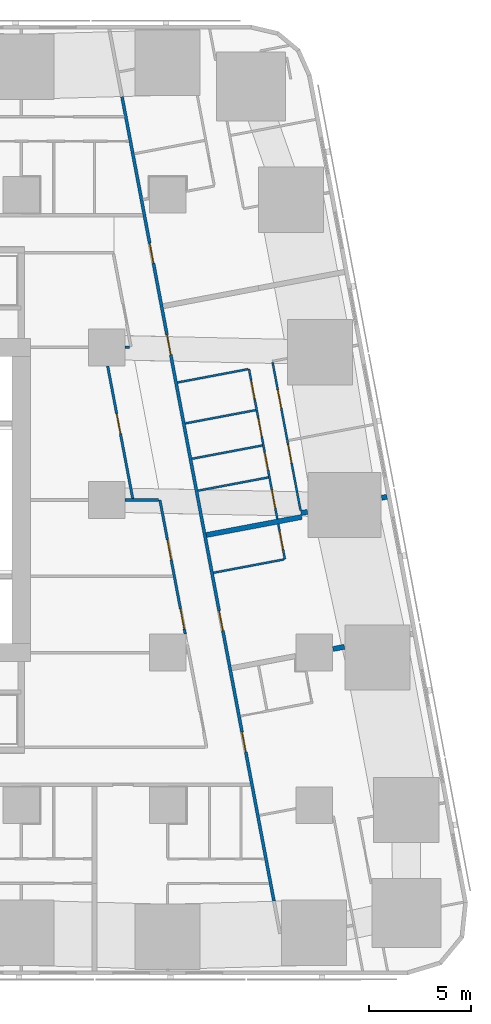
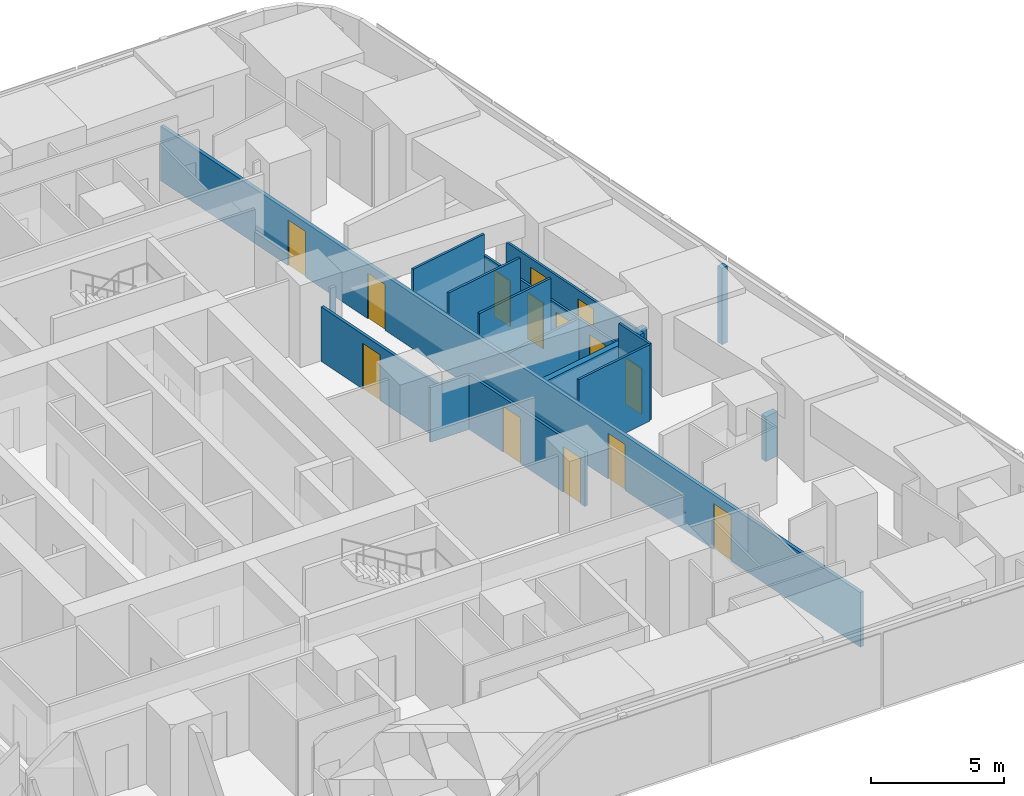
# One storey, part 9 of 17: 17 walls, 14 doors, 14 openings.
"""IFC4 building model written with IfcOpenShell, lengths in metres."""

from ifc_helpers import new_model, si_unit, direction, frame, frame_2d, origin, place, context, subcontext, project, spatial, rectangle, extrude, material, layer, layer_set, type_object, element, fill, save


model = new_model("IFC4")

# Units and contexts
model_context = context("Model", 3, precision=1e-05, world=origin(), true_north=direction((0.0, 1.0)))
body_context = subcontext(model_context, "Body", "Model", "MODEL_VIEW")
ifc_project = project(units=[si_unit("LENGTHUNIT", "METRE"), si_unit("AREAUNIT", "SQUARE_METRE"), si_unit("VOLUMEUNIT", "CUBIC_METRE"), si_unit("PLANEANGLEUNIT", "RADIAN"), si_unit("MASSUNIT", "GRAM", prefix="KILO")], contexts=[model_context])

# Site, building, storey
site_placement = place(None, origin())
site = spatial("IfcSite", under=ifc_project, at=site_placement, CompositionType="ELEMENT")
building_placement = place(site_placement, origin())
building = spatial("IfcBuilding", under=site, at=building_placement, Name="Sheger Commons Tower", CompositionType="ELEMENT")
storey_placement = place(building_placement, frame((0.0, 0.0, 27.5)))
storey = spatial("IfcBuildingStorey", under=building, at=storey_placement, Name="L06", CompositionType="ELEMENT", Elevation=27.5)

# Wall, openings, doors
ifc_material_1 = material(Name="Hollow concrete block masonry, skimmed both sides", Category="masonry")
ifc_layer_1 = layer(ifc_material_1, 0.14990234375)
ifc_layer_set_1 = layer_set([ifc_layer_1], Name="CORRIDOR WALL 150")
wall_type_1 = type_object("IfcWallType", Name="CORRIDOR WALL 150", PredefinedType="SOLIDWALL", material=ifc_layer_set_1)
wall_1_placement = place(storey_placement, frame((33.7548828125, 42.324951171875, 0.0), z_axis=(0.0, 0.0, 1.0), x_axis=(0.185611461091, -0.982623216453, 0.0)))
wall_1 = element("IfcWall", 1, at=wall_1_placement, inside=storey, type_object=wall_type_1, Name="Corridor wall L06", PredefinedType="SOLIDWALL", context=body_context, shape_type="SweptSolid", body=[
    extrude(rectangle(XDim=40.2412109375, YDim=0.14990234375, at=frame_2d((20.12060546875, 0.0))), origin(), (0.0, 0.0, 1.0), 2.5),
])
opening_1_placement = place(wall_1_placement, frame((7.324951171875, 0.0, 0.0)))
opening_1 = element("IfcOpeningElement", 2, at=opening_1_placement, cuts=wall_1, Name="Opening D1", PredefinedType="OPENING", context=body_context, shape_type="SweptSolid", body=[
    extrude(rectangle(XDim=1.0, YDim=2.10009765625, at=frame_2d((0.5, 1.050048828125))), frame((0.0, 0.0849609375, 0.0), z_axis=(0.0, -1.0, 0.0), x_axis=(1.0, 0.0, 0.0)), (0.0, 0.0, 1.0), 0.169921875),
])
opening_2_placement = place(wall_1_placement, frame((11.902099609375, 0.0, 0.0)))
opening_2 = element("IfcOpeningElement", 3, at=opening_2_placement, cuts=wall_1, Name="Opening D1", PredefinedType="OPENING", context=body_context, shape_type="SweptSolid", body=[
    extrude(rectangle(XDim=1.0, YDim=2.10009765625, at=frame_2d((0.5, 1.050048828125))), frame((0.0, 0.0849609375, 0.0), z_axis=(0.0, -1.0, 0.0), x_axis=(1.0, 0.0, 0.0)), (0.0, 0.0, 1.0), 0.169921875),
])
opening_3_placement = place(wall_1_placement, frame((25.718017578125, 0.0, 0.0)))
opening_3 = element("IfcOpeningElement", 4, at=opening_3_placement, cuts=wall_1, Name="Opening D1", PredefinedType="OPENING", context=body_context, shape_type="SweptSolid", body=[
    extrude(rectangle(XDim=1.0, YDim=2.10009765625, at=frame_2d((0.5, 1.050048828125))), frame((0.0, 0.0849609375, 0.0), z_axis=(0.0, -1.0, 0.0), x_axis=(1.0, 0.0, 0.0)), (0.0, 0.0, 1.0), 0.169921875),
])
opening_4_placement = place(wall_1_placement, frame((31.7880859375, 0.0, 0.0)))
opening_4 = element("IfcOpeningElement", 5, at=opening_4_placement, cuts=wall_1, Name="Opening D1", PredefinedType="OPENING", context=body_context, shape_type="SweptSolid", body=[
    extrude(rectangle(XDim=1.0, YDim=2.10009765625, at=frame_2d((0.5, 1.050048828125))), frame((0.0, 0.0849609375, 0.0), z_axis=(0.0, -1.0, 0.0), x_axis=(1.0, 0.0, 0.0)), (0.0, 0.0, 1.0), 0.169921875),
])
ifc_material_2 = material(Name="Steel door set, fire rated", Category="steel")
door_type_1 = type_object("IfcDoorType", Name="FLAT ENTRANCE DOOR 1000x2100", OperationType="NOTDEFINED", PredefinedType="DOOR", material=ifc_material_2)
door_1_placement = place(opening_1_placement, origin())
door_1 = element("IfcDoor", 6, at=door_1_placement, inside=storey, type_object=door_type_1, Name="Flat entrance door", OperationType="SINGLE_SWING_RIGHT", OverallHeight=2.10009765625, OverallWidth=1.0, PredefinedType="DOOR", context=body_context, shape_type="SweptSolid", body=[
    extrude(rectangle(XDim=1.0, YDim=2.10009765625, at=frame_2d((0.5, 1.050048828125))), frame((0.0, 0.02490234375, 0.0), z_axis=(0.0, -1.0, 0.0), x_axis=(1.0, 0.0, 0.0)), (0.0, 0.0, 1.0), 0.050048828125),
])
fill(opening_1, door_1)
door_2_placement = place(opening_2_placement, origin())
door_2 = element("IfcDoor", 7, at=door_2_placement, inside=storey, type_object=door_type_1, Name="Flat entrance door", OperationType="SINGLE_SWING_RIGHT", OverallHeight=2.10009765625, OverallWidth=1.0, PredefinedType="DOOR", context=body_context, shape_type="SweptSolid", body=[
    extrude(rectangle(XDim=1.0, YDim=2.10009765625, at=frame_2d((0.5, 1.050048828125))), frame((0.0, 0.02490234375, 0.0), z_axis=(0.0, -1.0, 0.0), x_axis=(1.0, 0.0, 0.0)), (0.0, 0.0, 1.0), 0.050048828125),
])
fill(opening_2, door_2)
door_3_placement = place(opening_3_placement, origin())
door_3 = element("IfcDoor", 8, at=door_3_placement, inside=storey, type_object=door_type_1, Name="Flat entrance door", OperationType="SINGLE_SWING_RIGHT", OverallHeight=2.10009765625, OverallWidth=1.0, PredefinedType="DOOR", context=body_context, shape_type="SweptSolid", body=[
    extrude(rectangle(XDim=1.0, YDim=2.10009765625, at=frame_2d((0.5, 1.050048828125))), frame((0.0, 0.02490234375, 0.0), z_axis=(0.0, -1.0, 0.0), x_axis=(1.0, 0.0, 0.0)), (0.0, 0.0, 1.0), 0.050048828125),
])
fill(opening_3, door_3)
door_4_placement = place(opening_4_placement, origin())
door_4 = element("IfcDoor", 9, at=door_4_placement, inside=storey, type_object=door_type_1, Name="Flat entrance door", OperationType="SINGLE_SWING_RIGHT", OverallHeight=2.10009765625, OverallWidth=1.0, PredefinedType="DOOR", context=body_context, shape_type="SweptSolid", body=[
    extrude(rectangle(XDim=1.0, YDim=2.10009765625, at=frame_2d((0.5, 1.050048828125))), frame((0.0, 0.02490234375, 0.0), z_axis=(0.0, -1.0, 0.0), x_axis=(1.0, 0.0, 0.0)), (0.0, 0.0, 1.0), 0.050048828125),
])
fill(opening_4, door_4)

# Walls
ifc_material_3 = material(Name="Dense concrete block masonry, plastered both sides (separating wall between flats)", Category="masonry")
ifc_layer_2 = layer(ifc_material_3, 0.25)
ifc_layer_set_2 = layer_set([ifc_layer_2], Name="DEMISING WALL 250")
wall_type_2 = type_object("IfcWallType", Name="DEMISING WALL 250", PredefinedType="SOLIDWALL", material=ifc_layer_set_2)
wall_2_placement = place(storey_placement, frame((46.781982421875, 22.656982421875, 0.0), z_axis=(0.0, 0.0, 1.0), x_axis=(-0.982104607121, -0.188336243648, 0.0)))
element("IfcWall", 10, at=wall_2_placement, inside=storey, type_object=wall_type_2, Name="Demising wall L06", PredefinedType="SOLIDWALL", context=body_context, shape_type="SweptSolid", body=[
    extrude(rectangle(XDim=0.265625, YDim=0.25, at=frame_2d((0.1328125, 0.0))), origin(), (0.0, 0.0, 1.0), 3.5),
])
wall_3_placement = place(storey_placement, frame((42.873046875, 21.91796875, 0.0), z_axis=(0.0, 0.0, 1.0), x_axis=(-0.982431406936, -0.186624035603, 0.0)))
element("IfcWall", 11, at=wall_3_placement, inside=storey, type_object=wall_type_2, Name="Demising wall L06", PredefinedType="SOLIDWALL", context=body_context, shape_type="SweptSolid", body=[
    extrude(rectangle(XDim=0.32177734375, YDim=0.25, at=frame_2d((0.160888671875, 0.0))), origin(), (0.0, 0.0, 1.0), 2.5),
])
wall_4_placement = place(storey_placement, frame((42.593017578125, 21.6650390625, 0.0), z_axis=(0.0, 0.0, 1.0), x_axis=(-0.982635807605, -0.185544791394, 0.0)))
element("IfcWall", 12, at=wall_4_placement, inside=storey, type_object=wall_type_2, Name="Demising wall L06", PredefinedType="SOLIDWALL", context=body_context, shape_type="SweptSolid", body=[
    extrude(rectangle(XDim=4.775146484375, YDim=0.25, at=frame_2d((2.3876953125, 0.0))), origin(), (0.0, 0.0, 1.0), 2.5),
])
wall_5_placement = place(storey_placement, frame((44.68994140625, 15.281005859375, 0.0), z_axis=(0.0, 0.0, 1.0), x_axis=(-0.982612073204, -0.185670443513, 0.0)))
element("IfcWall", 13, at=wall_5_placement, inside=storey, type_object=wall_type_2, Name="Demising wall L06", PredefinedType="SOLIDWALL", context=body_context, shape_type="SweptSolid", body=[
    extrude(rectangle(XDim=0.575927734375, YDim=0.25, at=frame_2d((0.2880859375, 0.0))), origin(), (0.0, 0.0, 1.0), 2.050048828125),
])

# Wall, openings, doors
ifc_material_4 = material(Name="Gypsum board on steel studs", Category="steel")
ifc_layer_3 = layer(ifc_material_4, 0.10009765625)
ifc_layer_set_3 = layer_set([ifc_layer_3], Name="PARTITION 100")
wall_type_3 = type_object("IfcWallType", Name="PARTITION 100", PredefinedType="PARTITIONING", material=ifc_layer_set_3)
wall_6_placement = place(storey_placement, frame((41.156982421875, 29.27294921875, 0.0), z_axis=(0.0, 0.0, 1.0), x_axis=(0.18542464283, -0.982658486877, 0.0)))
wall_6 = element("IfcWall", 14, at=wall_6_placement, inside=storey, type_object=wall_type_3, Name="Partition L06", PredefinedType="PARTITIONING", context=body_context, shape_type="SweptSolid", body=[
    extrude(rectangle(XDim=7.420654296875, YDim=0.10009765625, at=frame_2d((3.71044921875, 0.0))), origin(), (0.0, 0.0, 1.0), 2.5),
])
opening_5_placement = place(wall_6_placement, frame((1.39990234375, 0.0, 0.0)))
opening_5 = element("IfcOpeningElement", 15, at=opening_5_placement, cuts=wall_6, Name="Opening D2", PredefinedType="OPENING", context=body_context, shape_type="SweptSolid", body=[
    extrude(rectangle(XDim=0.89990234375, YDim=2.10009765625, at=frame_2d((0.449951171875, 1.050048828125))), frame((0.0, 0.06005859375, 0.0), z_axis=(0.0, -1.0, 0.0), x_axis=(1.0, 0.0, 0.0)), (0.0, 0.0, 1.0), 0.1201171875),
])
opening_6_placement = place(wall_6_placement, frame((4.1259765625, 0.0, 0.0)))
opening_6 = element("IfcOpeningElement", 16, at=opening_6_placement, cuts=wall_6, Name="Opening D2", PredefinedType="OPENING", context=body_context, shape_type="SweptSolid", body=[
    extrude(rectangle(XDim=0.89990234375, YDim=2.10009765625, at=frame_2d((0.449951171875, 1.050048828125))), frame((0.0, 0.06005859375, 0.0), z_axis=(0.0, -1.0, 0.0), x_axis=(1.0, 0.0, 0.0)), (0.0, 0.0, 1.0), 0.1201171875),
])
ifc_material_5 = material(Name="Timber door set", Category="wood")
door_type_2 = type_object("IfcDoorType", Name="INTERNAL DOOR 900x2100", OperationType="NOTDEFINED", PredefinedType="DOOR", material=ifc_material_5)
door_5_placement = place(opening_5_placement, origin())
door_5 = element("IfcDoor", 17, at=door_5_placement, inside=storey, type_object=door_type_2, Name="Main bedroom door", OperationType="SINGLE_SWING_LEFT", OverallHeight=2.10009765625, OverallWidth=0.89990234375, PredefinedType="DOOR", context=body_context, shape_type="SweptSolid", body=[
    extrude(rectangle(XDim=0.89990234375, YDim=2.10009765625, at=frame_2d((0.449951171875, 1.050048828125))), frame((0.0, 0.02490234375, 0.0), z_axis=(0.0, -1.0, 0.0), x_axis=(1.0, 0.0, 0.0)), (0.0, 0.0, 1.0), 0.050048828125),
])
fill(opening_5, door_5)
door_6_placement = place(opening_6_placement, origin())
door_6 = element("IfcDoor", 18, at=door_6_placement, inside=storey, type_object=door_type_2, Name="Bedroom 2 door", OperationType="SINGLE_SWING_LEFT", OverallHeight=2.10009765625, OverallWidth=0.89990234375, PredefinedType="DOOR", context=body_context, shape_type="SweptSolid", body=[
    extrude(rectangle(XDim=0.89990234375, YDim=2.10009765625, at=frame_2d((0.449951171875, 1.050048828125))), frame((0.0, 0.02490234375, 0.0), z_axis=(0.0, -1.0, 0.0), x_axis=(1.0, 0.0, 0.0)), (0.0, 0.0, 1.0), 0.050048828125),
])
fill(opening_6, door_6)

wall_7_placement = place(storey_placement, frame((39.9970703125, 28.94189453125, 0.0), z_axis=(0.0, 0.0, 1.0), x_axis=(0.185686318797, -0.982609073341, 0.0)))
wall_7 = element("IfcWall", 19, at=wall_7_placement, inside=storey, type_object=wall_type_3, Name="Partition L06", PredefinedType="PARTITIONING", context=body_context, shape_type="SweptSolid", body=[
    extrude(rectangle(XDim=7.507568359375, YDim=0.10009765625, at=frame_2d((3.75390625, 0.0))), origin(), (0.0, 0.0, 1.0), 2.5),
])
opening_7_placement = place(wall_7_placement, frame((0.575927734375, 0.0, 0.0)))
opening_7 = element("IfcOpeningElement", 20, at=opening_7_placement, cuts=wall_7, Name="Opening D2", PredefinedType="OPENING", context=body_context, shape_type="SweptSolid", body=[
    extrude(rectangle(XDim=0.89990234375, YDim=2.10009765625, at=frame_2d((0.449951171875, 1.050048828125))), frame((0.0, 0.06005859375, 0.0), z_axis=(0.0, -1.0, 0.0), x_axis=(1.0, 0.0, 0.0)), (0.0, 0.0, 1.0), 0.1201171875),
])
opening_8_placement = place(wall_7_placement, frame((4.166015625, 0.0, 0.0)))
opening_8 = element("IfcOpeningElement", 21, at=opening_8_placement, cuts=wall_7, Name="Opening D2", PredefinedType="OPENING", context=body_context, shape_type="SweptSolid", body=[
    extrude(rectangle(XDim=0.89990234375, YDim=2.10009765625, at=frame_2d((0.449951171875, 1.050048828125))), frame((0.0, 0.06005859375, 0.0), z_axis=(0.0, -1.0, 0.0), x_axis=(1.0, 0.0, 0.0)), (0.0, 0.0, 1.0), 0.1201171875),
])
opening_9_placement = place(wall_7_placement, frame((2.48291015625, 0.0, 0.0)))
opening_9 = element("IfcOpeningElement", 22, at=opening_9_placement, cuts=wall_7, Name="Opening D2", PredefinedType="OPENING", context=body_context, shape_type="SweptSolid", body=[
    extrude(rectangle(XDim=0.89990234375, YDim=2.10009765625, at=frame_2d((0.449951171875, 1.050048828125))), frame((0.0, 0.06005859375, 0.0), z_axis=(0.0, -1.0, 0.0), x_axis=(1.0, 0.0, 0.0)), (0.0, 0.0, 1.0), 0.1201171875),
])
opening_10_placement = place(wall_7_placement, frame((6.073974609375, 0.0, 0.0)))
opening_10 = element("IfcOpeningElement", 23, at=opening_10_placement, cuts=wall_7, Name="Opening D2", PredefinedType="OPENING", context=body_context, shape_type="SweptSolid", body=[
    extrude(rectangle(XDim=0.89990234375, YDim=2.10009765625, at=frame_2d((0.449951171875, 1.050048828125))), frame((0.0, 0.06005859375, 0.0), z_axis=(0.0, -1.0, 0.0), x_axis=(1.0, 0.0, 0.0)), (0.0, 0.0, 1.0), 0.1201171875),
])
door_7_placement = place(opening_7_placement, origin())
door_7 = element("IfcDoor", 24, at=door_7_placement, inside=storey, type_object=door_type_2, Name="Bathroom door", OperationType="SINGLE_SWING_RIGHT", OverallHeight=2.10009765625, OverallWidth=0.89990234375, PredefinedType="DOOR", context=body_context, shape_type="SweptSolid", body=[
    extrude(rectangle(XDim=0.89990234375, YDim=2.10009765625, at=frame_2d((0.449951171875, 1.050048828125))), frame((0.0, 0.02490234375, 0.0), z_axis=(0.0, -1.0, 0.0), x_axis=(1.0, 0.0, 0.0)), (0.0, 0.0, 1.0), 0.050048828125),
])
fill(opening_7, door_7)
door_8_placement = place(opening_8_placement, origin())
door_8 = element("IfcDoor", 25, at=door_8_placement, inside=storey, type_object=door_type_2, Name="Shower room door", OperationType="SINGLE_SWING_RIGHT", OverallHeight=2.10009765625, OverallWidth=0.89990234375, PredefinedType="DOOR", context=body_context, shape_type="SweptSolid", body=[
    extrude(rectangle(XDim=0.89990234375, YDim=2.10009765625, at=frame_2d((0.449951171875, 1.050048828125))), frame((0.0, 0.02490234375, 0.0), z_axis=(0.0, -1.0, 0.0), x_axis=(1.0, 0.0, 0.0)), (0.0, 0.0, 1.0), 0.050048828125),
])
fill(opening_8, door_8)
door_9_placement = place(opening_9_placement, origin())
door_9 = element("IfcDoor", 26, at=door_9_placement, inside=storey, type_object=door_type_2, Name="Store door", OperationType="SINGLE_SWING_RIGHT", OverallHeight=2.10009765625, OverallWidth=0.89990234375, PredefinedType="DOOR", context=body_context, shape_type="SweptSolid", body=[
    extrude(rectangle(XDim=0.89990234375, YDim=2.10009765625, at=frame_2d((0.449951171875, 1.050048828125))), frame((0.0, 0.02490234375, 0.0), z_axis=(0.0, -1.0, 0.0), x_axis=(1.0, 0.0, 0.0)), (0.0, 0.0, 1.0), 0.050048828125),
])
fill(opening_9, door_9)
door_10_placement = place(opening_10_placement, origin())
door_10 = element("IfcDoor", 27, at=door_10_placement, inside=storey, type_object=door_type_2, Name="Store door", OperationType="SINGLE_SWING_LEFT", OverallHeight=2.10009765625, OverallWidth=0.89990234375, PredefinedType="DOOR", context=body_context, shape_type="SweptSolid", body=[
    extrude(rectangle(XDim=0.89990234375, YDim=2.10009765625, at=frame_2d((0.449951171875, 1.050048828125))), frame((0.0, 0.02490234375, 0.0), z_axis=(0.0, -1.0, 0.0), x_axis=(1.0, 0.0, 0.0)), (0.0, 0.0, 1.0), 0.050048828125),
])
fill(opening_10, door_10)

# Walls
for number, where, z_axis, x_axis, name in (
    (28, (39.947998046875, 28.93310546875, 0.0), (0.0, 0.0, 1.0), (-0.982576058723, -0.185860939478, 0.0), "Partition L06"),
    (29, (40.656005859375, 25.18310546875, 0.0), (0.0, 0.0, 1.0), (-0.982576058723, -0.185860939478, 0.0), "Partition L06"),
):
    element("IfcWall", number, at=place(storey_placement, frame(where, z_axis=z_axis, x_axis=x_axis)), inside=storey, type_object=wall_type_3, Name=name, PredefinedType="PARTITIONING", context=body_context, shape_type="SweptSolid", body=[
        extrude(rectangle(XDim=3.5244140625, YDim=0.10009765625, at=frame_2d((1.76220703125, 0.0))), origin(), (0.0, 0.0, 1.0), 3.5),
    ])
wall_8_placement = place(storey_placement, frame((40.3291015625, 26.91796875, 0.0), z_axis=(0.0, 0.0, 1.0), x_axis=(-0.982638553676, -0.185530247748, 0.0)))
element("IfcWall", 30, at=wall_8_placement, inside=storey, type_object=wall_type_3, Name="Partition L06", PredefinedType="PARTITIONING", context=body_context, shape_type="SweptSolid", body=[
    extrude(rectangle(XDim=3.525390625, YDim=0.10009765625, at=frame_2d((1.7626953125, 0.0))), origin(), (0.0, 0.0, 1.0), 3.5),
])
wall_9_placement = place(storey_placement, frame((40.9541015625, 23.610107421875, 0.0), z_axis=(0.0, 0.0, 1.0), x_axis=(-0.982638553676, -0.185530247748, 0.0)))
element("IfcWall", 31, at=wall_9_placement, inside=storey, type_object=wall_type_3, Name="Partition L06", PredefinedType="PARTITIONING", context=body_context, shape_type="SweptSolid", body=[
    extrude(rectangle(XDim=3.525390625, YDim=0.10009765625, at=frame_2d((1.7626953125, 0.0))), origin(), (0.0, 0.0, 1.0), 2.5),
])

# Wall, opening, door
wall_10_placement = place(storey_placement, frame((41.43701171875, 21.319091796875, 0.0), z_axis=(0.0, 0.0, 1.0), x_axis=(0.185783379659, -0.98259072652, 0.0)))
wall_10 = element("IfcWall", 32, at=wall_10_placement, inside=storey, type_object=wall_type_3, Name="Partition L06", PredefinedType="PARTITIONING", context=body_context, shape_type="SweptSolid", body=[
    extrude(rectangle(XDim=1.764892578125, YDim=0.10009765625, at=frame_2d((0.88232421875, 0.0))), origin(), (0.0, 0.0, 1.0), 3.5),
])
opening_11_placement = place(wall_10_placement, frame((0.3740234375, 0.0, 0.0)))
opening_11 = element("IfcOpeningElement", 33, at=opening_11_placement, cuts=wall_10, Name="Opening D2", PredefinedType="OPENING", context=body_context, shape_type="SweptSolid", body=[
    extrude(rectangle(XDim=0.89990234375, YDim=2.10009765625, at=frame_2d((0.449951171875, 1.050048828125))), frame((0.0, 0.06005859375, 0.0), z_axis=(0.0, -1.0, 0.0), x_axis=(1.0, 0.0, 0.0)), (0.0, 0.0, 1.0), 0.1201171875),
])
door_11_placement = place(opening_11_placement, origin())
door_11 = element("IfcDoor", 34, at=door_11_placement, inside=storey, type_object=door_type_2, Name="Shower room door", OperationType="SINGLE_SWING_RIGHT", OverallHeight=2.10009765625, OverallWidth=0.89990234375, PredefinedType="DOOR", context=body_context, shape_type="SweptSolid", body=[
    extrude(rectangle(XDim=0.89990234375, YDim=2.10009765625, at=frame_2d((0.449951171875, 1.050048828125))), frame((0.0, 0.02490234375, 0.0), z_axis=(0.0, -1.0, 0.0), x_axis=(1.0, 0.0, 0.0)), (0.0, 0.0, 1.0), 0.050048828125),
])
fill(opening_11, door_11)

# Wall
wall_11_placement = place(storey_placement, frame((41.716064453125, 19.575927734375, 0.0), z_axis=(0.0, 0.0, 1.0), x_axis=(-0.982588017646, -0.185797706064, 0.0)))
element("IfcWall", 35, at=wall_11_placement, inside=storey, type_object=wall_type_3, Name="Partition L06", PredefinedType="PARTITIONING", context=body_context, shape_type="SweptSolid", body=[
    extrude(rectangle(XDim=3.525390625, YDim=0.10009765625, at=frame_2d((1.7626953125, 0.0))), origin(), (0.0, 0.0, 1.0), 3.5),
])

# Wall, openings, doors
ifc_material_6 = material(Name="Gypsum board on steel studs, two layers each side, fire rated", Category="steel")
ifc_layer_4 = layer(ifc_material_6, 0.125)
ifc_layer_set_4 = layer_set([ifc_layer_4], Name="SERVICE WALL 125")
wall_type_4 = type_object("IfcWallType", Name="SERVICE WALL 125", PredefinedType="PARTITIONING", material=ifc_layer_set_4)
wall_12_placement = place(storey_placement, frame((36.861083984375, 15.9130859375, 0.0), z_axis=(0.0, 0.0, 1.0), x_axis=(-0.185598960122, 0.982625577726, 0.0)))
wall_12 = element("IfcWall", 36, at=wall_12_placement, inside=storey, type_object=wall_type_4, Name="Service room wall L06", PredefinedType="PARTITIONING", context=body_context, shape_type="SweptSolid", body=[
    extrude(rectangle(XDim=6.703369140625, YDim=0.125, at=frame_2d((3.3515625, 0.0))), origin(), (0.0, 0.0, 1.0), 2.5),
])
opening_12_placement = place(wall_12_placement, frame((0.25, 0.0, 0.0)))
opening_12 = element("IfcOpeningElement", 37, at=opening_12_placement, cuts=wall_12, Name="Opening D4", PredefinedType="OPENING", context=body_context, shape_type="SweptSolid", body=[
    extrude(rectangle(XDim=1.0, YDim=2.10009765625, at=frame_2d((0.5, 1.050048828125))), frame((0.0, 0.072509765625, 0.0), z_axis=(0.0, -1.0, 0.0), x_axis=(1.0, 0.0, 0.0)), (0.0, 0.0, 1.0), 0.14501953125),
])
opening_13_placement = place(wall_12_placement, frame((3.7099609375, 0.0, 0.0)))
opening_13 = element("IfcOpeningElement", 38, at=opening_13_placement, cuts=wall_12, Name="Opening D4", PredefinedType="OPENING", context=body_context, shape_type="SweptSolid", body=[
    extrude(rectangle(XDim=1.0, YDim=2.10009765625, at=frame_2d((0.5, 1.050048828125))), frame((0.0, 0.072509765625, 0.0), z_axis=(0.0, -1.0, 0.0), x_axis=(1.0, 0.0, 0.0)), (0.0, 0.0, 1.0), 0.14501953125),
])
ifc_material_7 = material(Name="Steel door set, fire rated", Category="steel")
door_type_3 = type_object("IfcDoorType", Name="SERVICE DOOR 1000x2100", OperationType="NOTDEFINED", PredefinedType="DOOR", material=ifc_material_7)
door_12_placement = place(opening_12_placement, origin())
door_12 = element("IfcDoor", 39, at=door_12_placement, inside=storey, type_object=door_type_3, Name="Residents' hobby room door", OperationType="SINGLE_SWING_LEFT", OverallHeight=2.10009765625, OverallWidth=1.0, PredefinedType="DOOR", context=body_context, shape_type="SweptSolid", body=[
    extrude(rectangle(XDim=1.0, YDim=2.10009765625, at=frame_2d((0.5, 1.050048828125))), frame((0.0, 0.02490234375, 0.0), z_axis=(0.0, -1.0, 0.0), x_axis=(1.0, 0.0, 0.0)), (0.0, 0.0, 1.0), 0.050048828125),
])
fill(opening_12, door_12)
door_13_placement = place(opening_13_placement, origin())
door_13 = element("IfcDoor", 40, at=door_13_placement, inside=storey, type_object=door_type_3, Name="Bicycle and pram store door", OperationType="SINGLE_SWING_LEFT", OverallHeight=2.10009765625, OverallWidth=1.0, PredefinedType="DOOR", context=body_context, shape_type="SweptSolid", body=[
    extrude(rectangle(XDim=1.0, YDim=2.10009765625, at=frame_2d((0.5, 1.050048828125))), frame((0.0, 0.02490234375, 0.0), z_axis=(0.0, -1.0, 0.0), x_axis=(1.0, 0.0, 0.0)), (0.0, 0.0, 1.0), 0.050048828125),
])
fill(opening_13, door_13)

# Wall, opening, door
wall_13_placement = place(storey_placement, frame((34.280029296875, 22.573974609375, 0.0), z_axis=(0.0, 0.0, 1.0), x_axis=(-0.185713862218, 0.982603867986, 0.0)))
wall_13 = element("IfcWall", 41, at=wall_13_placement, inside=storey, type_object=wall_type_4, Name="Service room wall L06", PredefinedType="PARTITIONING", context=body_context, shape_type="SweptSolid", body=[
    extrude(rectangle(XDim=6.628173828125, YDim=0.125, at=frame_2d((3.31396484375, 0.0))), origin(), (0.0, 0.0, 1.0), 2.5),
])
opening_14_placement = place(wall_13_placement, frame((3.240966796875, 0.0, 0.0)))
opening_14 = element("IfcOpeningElement", 42, at=opening_14_placement, cuts=wall_13, Name="Opening D4", PredefinedType="OPENING", context=body_context, shape_type="SweptSolid", body=[
    extrude(rectangle(XDim=1.0, YDim=2.10009765625, at=frame_2d((0.5, 1.050048828125))), frame((0.0, 0.072509765625, 0.0), z_axis=(0.0, -1.0, 0.0), x_axis=(1.0, 0.0, 0.0)), (0.0, 0.0, 1.0), 0.14501953125),
])
door_14_placement = place(opening_14_placement, origin())
door_14 = element("IfcDoor", 43, at=door_14_placement, inside=storey, type_object=door_type_3, Name="Residents' lounge door", OperationType="SINGLE_SWING_RIGHT", OverallHeight=2.10009765625, OverallWidth=1.0, PredefinedType="DOOR", context=body_context, shape_type="SweptSolid", body=[
    extrude(rectangle(XDim=1.0, YDim=2.10009765625, at=frame_2d((0.5, 1.050048828125))), frame((0.0, 0.02490234375, 0.0), z_axis=(0.0, -1.0, 0.0), x_axis=(1.0, 0.0, 0.0)), (0.0, 0.0, 1.0), 0.050048828125),
])
fill(opening_14, door_14)

# Walls
wall_14_placement = place(storey_placement, frame((33.90087890625, 22.5, 0.0), z_axis=(0.0, 0.0, 1.0), x_axis=(1.0, 0.0, 0.0)))
element("IfcWall", 44, at=wall_14_placement, inside=storey, type_object=wall_type_4, Name="Service room wall L06", PredefinedType="PARTITIONING", context=body_context, shape_type="SweptSolid", body=[
    extrude(rectangle(XDim=1.655029296875, YDim=0.125, at=frame_2d((0.82763671875, 0.0))), origin(), (0.0, 0.0, 1.0), 2.5),
])
wall_15_placement = place(storey_placement, frame((33.90087890625, 30.0, 0.0), z_axis=(0.0, 0.0, 1.0), x_axis=(1.0, 0.0, 0.0)))
element("IfcWall", 45, at=wall_15_placement, inside=storey, type_object=wall_type_4, Name="Service room wall L06", PredefinedType="PARTITIONING", context=body_context, shape_type="SweptSolid", body=[
    extrude(rectangle(XDim=0.22412109375, YDim=0.125, at=frame_2d((0.112060546875, 0.0))), origin(), (0.0, 0.0, 1.0), 2.5),
])

save(model, "model.ifc")
